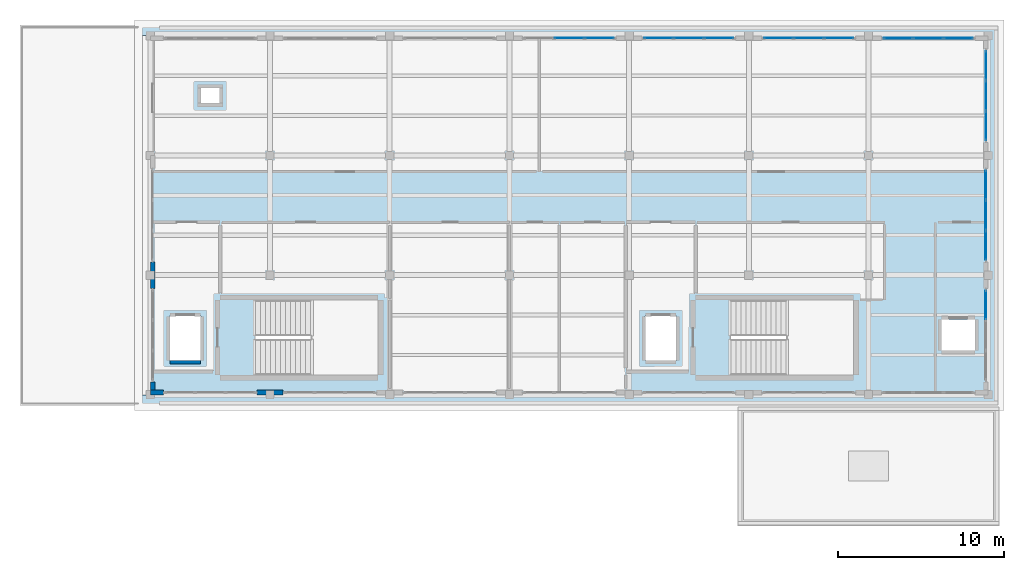
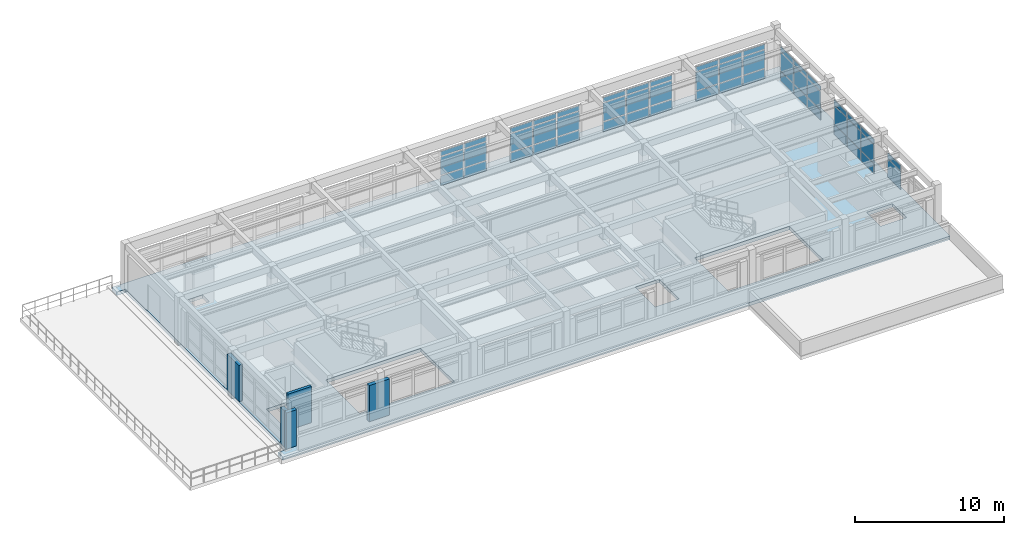
# One storey, part 10 of 15: 53 plates, 5 walls, 1 slab, 7 elements without a shape of their own.
"""IFC4 building model written with IfcOpenShell, lengths in metres."""

from ifc_helpers import new_model, si_unit, direction, frame, frame_2d, origin, origin_2d, place, context, subcontext, project, spatial, polyline, rectangle, outline, extrude, material, layer, layer_set, type_object, element, aggregate, save


model = new_model("IFC4")

# Units and contexts
model_context = context("Model", 3, precision=1e-05, world=origin(), true_north=direction((0.0, 1.0)))
body_context = subcontext(model_context, "Body", "Model", "MODEL_VIEW")
ifc_project = project(units=[si_unit("LENGTHUNIT", "METRE"), si_unit("AREAUNIT", "SQUARE_METRE"), si_unit("VOLUMEUNIT", "CUBIC_METRE"), si_unit("PLANEANGLEUNIT", "RADIAN"), si_unit("MASSUNIT", "GRAM", prefix="KILO")], contexts=[model_context])

# Site, building, storey
site_placement = place(None, origin())
site = spatial("IfcSite", under=ifc_project, at=site_placement, CompositionType="ELEMENT")
building_placement = place(site_placement, origin())
building = spatial("IfcBuilding", under=site, at=building_placement, Name="Solenvale Faculty of Natural Sciences", CompositionType="ELEMENT")
storey_placement = place(building_placement, frame((0.0, 0.0, 48.0)))
storey = spatial("IfcBuildingStorey", under=building, at=storey_placement, Name="L11", CompositionType="ELEMENT", Elevation=48.0)

# Curtain wall, plates
ifc_material_1 = material(Name="Anodised bronze aluminium", Category="aluminium")
ifc_layer_1 = layer(ifc_material_1, 0.179931640625)
ifc_layer_set_1 = layer_set([ifc_layer_1], Name="Anodised bronze aluminium")
curtain_wall_type = type_object("IfcCurtainWallType", Name="CW-TWR-MOD", PredefinedType="USERDEFINED", material=ifc_layer_set_1)
curtain_wall_1_placement = place(storey_placement, origin())
curtain_wall_1 = element("IfcCurtainWall", 1, at=curtain_wall_1_placement, inside=storey, type_object=curtain_wall_type, Name="L11 Curtain Wall CW-L11-P1-E1-B3", ObjectType="UNITISED CURTAIN WALL", PredefinedType="USERDEFINED")
ifc_material_2 = material(Name="North-light skylight glass", Category="glass")
ifc_layer_2 = layer(ifc_material_2, 0.028076171875)
ifc_layer_set_2 = layer_set([ifc_layer_2], Name="North-light skylight glass")
plate_type_1 = type_object("IfcPlateType", Name="CWP-PNL-28", PredefinedType="CURTAIN_PANEL", material=ifc_layer_set_2)
plate_1_placement = place(storey_placement, frame((151.0576171875, 109.785400390625, 0.074951171875), z_axis=(0.0, 0.0, 1.0), x_axis=(0.0, 1.0, 0.0)))
plate_1 = element("IfcPlate", 2, at=plate_1_placement, type_object=plate_type_1, Name="CW-04 panel 1.1", PredefinedType="CURTAIN_PANEL", context=body_context, shape_type="SweptSolid", body=[
    extrude(rectangle(XDim=1.720947265625, YDim=0.028076171875, at=origin_2d()), origin(), (0.0, 0.0, 1.0), 0.78759765625),
])
plate_2_placement = place(storey_placement, frame((151.0576171875, 109.785400390625, 0.9375), z_axis=(0.0, 0.0, 1.0), x_axis=(0.0, 1.0, 0.0)))
plate_2 = element("IfcPlate", 3, at=plate_2_placement, type_object=plate_type_1, Name="CW-04 panel 1.2", PredefinedType="CURTAIN_PANEL", context=body_context, shape_type="SweptSolid", body=[
    extrude(rectangle(XDim=1.720947265625, YDim=0.028076171875, at=origin_2d()), origin(), (0.0, 0.0, 1.0), 1.485107421875),
])
plate_3_placement = place(storey_placement, frame((151.0576171875, 109.785400390625, 2.49755859375), z_axis=(0.0, 0.0, 1.0), x_axis=(0.0, 1.0, 0.0)))
plate_3 = element("IfcPlate", 4, at=plate_3_placement, type_object=plate_type_1, Name="CW-04 panel 1.3", PredefinedType="CURTAIN_PANEL", context=body_context, shape_type="SweptSolid", body=[
    extrude(rectangle(XDim=1.720947265625, YDim=0.028076171875, at=origin_2d()), origin(), (0.0, 0.0, 1.0), 0.387451171875),
])
plate_4_placement = place(storey_placement, frame((151.0576171875, 111.60009765625, 0.074951171875), z_axis=(0.0, 0.0, 1.0), x_axis=(0.0, 1.0, 0.0)))
plate_4 = element("IfcPlate", 5, at=plate_4_placement, type_object=plate_type_1, Name="CW-04 panel 2.1", PredefinedType="CURTAIN_PANEL", context=body_context, shape_type="SweptSolid", body=[
    extrude(rectangle(XDim=1.75830078125, YDim=0.028076171875, at=origin_2d()), origin(), (0.0, 0.0, 1.0), 0.78759765625),
])
plate_5_placement = place(storey_placement, frame((151.0576171875, 111.60009765625, 0.9375), z_axis=(0.0, 0.0, 1.0), x_axis=(0.0, 1.0, 0.0)))
plate_5 = element("IfcPlate", 6, at=plate_5_placement, type_object=plate_type_1, Name="CW-04 panel 2.2", PredefinedType="CURTAIN_PANEL", context=body_context, shape_type="SweptSolid", body=[
    extrude(rectangle(XDim=1.75830078125, YDim=0.028076171875, at=origin_2d()), origin(), (0.0, 0.0, 1.0), 1.485107421875),
])
plate_6_placement = place(storey_placement, frame((151.0576171875, 111.60009765625, 2.49755859375), z_axis=(0.0, 0.0, 1.0), x_axis=(0.0, 1.0, 0.0)))
plate_6 = element("IfcPlate", 7, at=plate_6_placement, type_object=plate_type_1, Name="CW-04 panel 2.3", PredefinedType="CURTAIN_PANEL", context=body_context, shape_type="SweptSolid", body=[
    extrude(rectangle(XDim=1.75830078125, YDim=0.028076171875, at=origin_2d()), origin(), (0.0, 0.0, 1.0), 0.387451171875),
])
plate_7_placement = place(storey_placement, frame((151.0576171875, 113.41455078125, 0.074951171875), z_axis=(0.0, 0.0, 1.0), x_axis=(0.0, 1.0, 0.0)))
plate_7 = element("IfcPlate", 8, at=plate_7_placement, type_object=plate_type_1, Name="CW-04 panel 3.1", PredefinedType="CURTAIN_PANEL", context=body_context, shape_type="SweptSolid", body=[
    extrude(rectangle(XDim=1.720947265625, YDim=0.028076171875, at=origin_2d()), origin(), (0.0, 0.0, 1.0), 0.78759765625),
])
plate_8_placement = place(storey_placement, frame((151.0576171875, 113.41455078125, 0.9375), z_axis=(0.0, 0.0, 1.0), x_axis=(0.0, 1.0, 0.0)))
plate_8 = element("IfcPlate", 9, at=plate_8_placement, type_object=plate_type_1, Name="CW-04 panel 3.2", PredefinedType="CURTAIN_PANEL", context=body_context, shape_type="SweptSolid", body=[
    extrude(rectangle(XDim=1.720947265625, YDim=0.028076171875, at=origin_2d()), origin(), (0.0, 0.0, 1.0), 1.485107421875),
])
plate_9_placement = place(storey_placement, frame((151.0576171875, 113.41455078125, 2.49755859375), z_axis=(0.0, 0.0, 1.0), x_axis=(0.0, 1.0, 0.0)))
plate_9 = element("IfcPlate", 10, at=plate_9_placement, type_object=plate_type_1, Name="CW-04 panel 3.3", PredefinedType="CURTAIN_PANEL", context=body_context, shape_type="SweptSolid", body=[
    extrude(rectangle(XDim=1.720947265625, YDim=0.028076171875, at=origin_2d()), origin(), (0.0, 0.0, 1.0), 0.387451171875),
])
aggregate(curtain_wall_1, [plate_1, plate_2, plate_3, plate_4, plate_5, plate_6, plate_7, plate_8, plate_9])

curtain_wall_2_placement = place(storey_placement, origin())
curtain_wall_2 = element("IfcCurtainWall", 11, at=curtain_wall_2_placement, inside=storey, type_object=curtain_wall_type, Name="L11 Curtain Wall CW-L11-P1-E2-B2", ObjectType="UNITISED CURTAIN WALL", PredefinedType="USERDEFINED")
plate_10_placement = place(storey_placement, frame((142.214599609375, 115.0576171875, 0.074951171875), z_axis=(0.0, 0.0, 1.0), x_axis=(-1.0, 0.0, 0.0)))
plate_10 = element("IfcPlate", 12, at=plate_10_placement, type_object=plate_type_1, Name="CW-04 panel 1.1", PredefinedType="CURTAIN_PANEL", context=body_context, shape_type="SweptSolid", body=[
    extrude(rectangle(XDim=1.720947265625, YDim=0.028076171875, at=origin_2d()), origin(), (0.0, 0.0, 1.0), 0.78759765625),
])
plate_11_placement = place(storey_placement, frame((142.214599609375, 115.0576171875, 0.9375), z_axis=(0.0, 0.0, 1.0), x_axis=(-1.0, 0.0, 0.0)))
plate_11 = element("IfcPlate", 13, at=plate_11_placement, type_object=plate_type_1, Name="CW-04 panel 1.2", PredefinedType="CURTAIN_PANEL", context=body_context, shape_type="SweptSolid", body=[
    extrude(rectangle(XDim=1.720947265625, YDim=0.028076171875, at=origin_2d()), origin(), (0.0, 0.0, 1.0), 1.485107421875),
])
plate_12_placement = place(storey_placement, frame((142.214599609375, 115.0576171875, 2.49755859375), z_axis=(0.0, 0.0, 1.0), x_axis=(-1.0, 0.0, 0.0)))
plate_12 = element("IfcPlate", 14, at=plate_12_placement, type_object=plate_type_1, Name="CW-04 panel 1.3", PredefinedType="CURTAIN_PANEL", context=body_context, shape_type="SweptSolid", body=[
    extrude(rectangle(XDim=1.720947265625, YDim=0.028076171875, at=origin_2d()), origin(), (0.0, 0.0, 1.0), 0.387451171875),
])
plate_13_placement = place(storey_placement, frame((140.39990234375, 115.0576171875, 0.074951171875), z_axis=(0.0, 0.0, 1.0), x_axis=(-1.0, 0.0, 0.0)))
plate_13 = element("IfcPlate", 15, at=plate_13_placement, type_object=plate_type_1, Name="CW-04 panel 2.1", PredefinedType="CURTAIN_PANEL", context=body_context, shape_type="SweptSolid", body=[
    extrude(rectangle(XDim=1.75830078125, YDim=0.028076171875, at=origin_2d()), origin(), (0.0, 0.0, 1.0), 0.78759765625),
])
plate_14_placement = place(storey_placement, frame((140.39990234375, 115.0576171875, 0.9375), z_axis=(0.0, 0.0, 1.0), x_axis=(-1.0, 0.0, 0.0)))
plate_14 = element("IfcPlate", 16, at=plate_14_placement, type_object=plate_type_1, Name="CW-04 panel 2.2", PredefinedType="CURTAIN_PANEL", context=body_context, shape_type="SweptSolid", body=[
    extrude(rectangle(XDim=1.75830078125, YDim=0.028076171875, at=origin_2d()), origin(), (0.0, 0.0, 1.0), 1.485107421875),
])
plate_15_placement = place(storey_placement, frame((140.39990234375, 115.0576171875, 2.49755859375), z_axis=(0.0, 0.0, 1.0), x_axis=(-1.0, 0.0, 0.0)))
plate_15 = element("IfcPlate", 17, at=plate_15_placement, type_object=plate_type_1, Name="CW-04 panel 2.3", PredefinedType="CURTAIN_PANEL", context=body_context, shape_type="SweptSolid", body=[
    extrude(rectangle(XDim=1.75830078125, YDim=0.028076171875, at=origin_2d()), origin(), (0.0, 0.0, 1.0), 0.387451171875),
])
plate_16_placement = place(storey_placement, frame((138.58544921875, 115.0576171875, 0.074951171875), z_axis=(0.0, 0.0, 1.0), x_axis=(-1.0, 0.0, 0.0)))
plate_16 = element("IfcPlate", 18, at=plate_16_placement, type_object=plate_type_1, Name="CW-04 panel 3.1", PredefinedType="CURTAIN_PANEL", context=body_context, shape_type="SweptSolid", body=[
    extrude(rectangle(XDim=1.720947265625, YDim=0.028076171875, at=origin_2d()), origin(), (0.0, 0.0, 1.0), 0.78759765625),
])
plate_17_placement = place(storey_placement, frame((138.58544921875, 115.0576171875, 0.9375), z_axis=(0.0, 0.0, 1.0), x_axis=(-1.0, 0.0, 0.0)))
plate_17 = element("IfcPlate", 19, at=plate_17_placement, type_object=plate_type_1, Name="CW-04 panel 3.2", PredefinedType="CURTAIN_PANEL", context=body_context, shape_type="SweptSolid", body=[
    extrude(rectangle(XDim=1.720947265625, YDim=0.028076171875, at=origin_2d()), origin(), (0.0, 0.0, 1.0), 1.485107421875),
])
plate_18_placement = place(storey_placement, frame((138.58544921875, 115.0576171875, 2.49755859375), z_axis=(0.0, 0.0, 1.0), x_axis=(-1.0, 0.0, 0.0)))
plate_18 = element("IfcPlate", 20, at=plate_18_placement, type_object=plate_type_1, Name="CW-04 panel 3.3", PredefinedType="CURTAIN_PANEL", context=body_context, shape_type="SweptSolid", body=[
    extrude(rectangle(XDim=1.720947265625, YDim=0.028076171875, at=origin_2d()), origin(), (0.0, 0.0, 1.0), 0.387451171875),
])
aggregate(curtain_wall_2, [plate_10, plate_11, plate_12, plate_13, plate_14, plate_15, plate_16, plate_17, plate_18])

curtain_wall_3_placement = place(storey_placement, origin())
curtain_wall_3 = element("IfcCurtainWall", 21, at=curtain_wall_3_placement, inside=storey, type_object=curtain_wall_type, Name="L11 Curtain Wall CW-L11-P1-E2-B3", ObjectType="UNITISED CURTAIN WALL", PredefinedType="USERDEFINED")
ifc_material_3 = material(Name="Triple low-E insulated glass", Category="glass")
ifc_layer_3 = layer(ifc_material_3, 0.031982421875)
ifc_layer_set_3 = layer_set([ifc_layer_3], Name="Triple low-E insulated glass")
plate_type_2 = type_object("IfcPlateType", Name="CWP-PNL-32", PredefinedType="CURTAIN_PANEL", material=ifc_layer_set_3)
plate_19_placement = place(storey_placement, frame((135.0146484375, 115.0576171875, 0.074951171875), z_axis=(0.0, 0.0, 1.0), x_axis=(-1.0, 0.0, 0.0)))
plate_19 = element("IfcPlate", 22, at=plate_19_placement, type_object=plate_type_2, Name="CW-04 panel 1.1", PredefinedType="CURTAIN_PANEL", context=body_context, shape_type="SweptSolid", body=[
    extrude(rectangle(XDim=1.720947265625, YDim=0.031982421875, at=origin_2d()), origin(), (0.0, 0.0, 1.0), 0.78759765625),
])
plate_20_placement = place(storey_placement, frame((135.0146484375, 115.0576171875, 0.9375), z_axis=(0.0, 0.0, 1.0), x_axis=(-1.0, 0.0, 0.0)))
plate_20 = element("IfcPlate", 23, at=plate_20_placement, type_object=plate_type_2, Name="CW-04 panel 1.2", PredefinedType="CURTAIN_PANEL", context=body_context, shape_type="SweptSolid", body=[
    extrude(rectangle(XDim=1.720947265625, YDim=0.031982421875, at=origin_2d()), origin(), (0.0, 0.0, 1.0), 1.485107421875),
])
plate_21_placement = place(storey_placement, frame((135.0146484375, 115.0576171875, 2.49755859375), z_axis=(0.0, 0.0, 1.0), x_axis=(-1.0, 0.0, 0.0)))
plate_21 = element("IfcPlate", 24, at=plate_21_placement, type_object=plate_type_2, Name="CW-04 panel 1.3", PredefinedType="CURTAIN_PANEL", context=body_context, shape_type="SweptSolid", body=[
    extrude(rectangle(XDim=1.720947265625, YDim=0.031982421875, at=origin_2d()), origin(), (0.0, 0.0, 1.0), 0.387451171875),
])
plate_22_placement = place(storey_placement, frame((133.199951171875, 115.0576171875, 0.074951171875), z_axis=(0.0, 0.0, 1.0), x_axis=(-1.0, 0.0, 0.0)))
plate_22 = element("IfcPlate", 25, at=plate_22_placement, type_object=plate_type_2, Name="CW-04 panel 2.1", PredefinedType="CURTAIN_PANEL", context=body_context, shape_type="SweptSolid", body=[
    extrude(rectangle(XDim=1.75830078125, YDim=0.031982421875, at=origin_2d()), origin(), (0.0, 0.0, 1.0), 0.78759765625),
])
plate_23_placement = place(storey_placement, frame((133.199951171875, 115.0576171875, 0.9375), z_axis=(0.0, 0.0, 1.0), x_axis=(-1.0, 0.0, 0.0)))
plate_23 = element("IfcPlate", 26, at=plate_23_placement, type_object=plate_type_2, Name="CW-04 panel 2.2", PredefinedType="CURTAIN_PANEL", context=body_context, shape_type="SweptSolid", body=[
    extrude(rectangle(XDim=1.75830078125, YDim=0.031982421875, at=origin_2d()), origin(), (0.0, 0.0, 1.0), 1.485107421875),
])
plate_24_placement = place(storey_placement, frame((133.199951171875, 115.0576171875, 2.49755859375), z_axis=(0.0, 0.0, 1.0), x_axis=(-1.0, 0.0, 0.0)))
plate_24 = element("IfcPlate", 27, at=plate_24_placement, type_object=plate_type_2, Name="CW-04 panel 2.3", PredefinedType="CURTAIN_PANEL", context=body_context, shape_type="SweptSolid", body=[
    extrude(rectangle(XDim=1.75830078125, YDim=0.031982421875, at=origin_2d()), origin(), (0.0, 0.0, 1.0), 0.387451171875),
])
plate_25_placement = place(storey_placement, frame((131.385498046875, 115.0576171875, 0.074951171875), z_axis=(0.0, 0.0, 1.0), x_axis=(-1.0, 0.0, 0.0)))
plate_25 = element("IfcPlate", 28, at=plate_25_placement, type_object=plate_type_2, Name="CW-04 panel 3.1", PredefinedType="CURTAIN_PANEL", context=body_context, shape_type="SweptSolid", body=[
    extrude(rectangle(XDim=1.720947265625, YDim=0.031982421875, at=origin_2d()), origin(), (0.0, 0.0, 1.0), 0.78759765625),
])
plate_26_placement = place(storey_placement, frame((131.385498046875, 115.0576171875, 0.9375), z_axis=(0.0, 0.0, 1.0), x_axis=(-1.0, 0.0, 0.0)))
plate_26 = element("IfcPlate", 29, at=plate_26_placement, type_object=plate_type_2, Name="CW-04 panel 3.2", PredefinedType="CURTAIN_PANEL", context=body_context, shape_type="SweptSolid", body=[
    extrude(rectangle(XDim=1.720947265625, YDim=0.031982421875, at=origin_2d()), origin(), (0.0, 0.0, 1.0), 1.485107421875),
])
plate_27_placement = place(storey_placement, frame((131.385498046875, 115.0576171875, 2.49755859375), z_axis=(0.0, 0.0, 1.0), x_axis=(-1.0, 0.0, 0.0)))
plate_27 = element("IfcPlate", 30, at=plate_27_placement, type_object=plate_type_2, Name="CW-04 panel 3.3", PredefinedType="CURTAIN_PANEL", context=body_context, shape_type="SweptSolid", body=[
    extrude(rectangle(XDim=1.720947265625, YDim=0.031982421875, at=origin_2d()), origin(), (0.0, 0.0, 1.0), 0.387451171875),
])
aggregate(curtain_wall_3, [plate_19, plate_20, plate_21, plate_22, plate_23, plate_24, plate_25, plate_26, plate_27])

curtain_wall_4_placement = place(storey_placement, origin())
curtain_wall_4 = element("IfcCurtainWall", 31, at=curtain_wall_4_placement, inside=storey, type_object=curtain_wall_type, Name="L11 Curtain Wall CW-L11-P1-E2-B4", ObjectType="UNITISED CURTAIN WALL", PredefinedType="USERDEFINED")
ifc_layer_4 = layer(ifc_material_3, 0.035888671875)
ifc_layer_set_4 = layer_set([ifc_layer_4], Name="Triple low-E insulated glass")
plate_type_3 = type_object("IfcPlateType", Name="CWP-PNL-36", PredefinedType="CURTAIN_PANEL", material=ifc_layer_set_4)
plate_28_placement = place(storey_placement, frame((127.814697265625, 115.0576171875, 0.074951171875), z_axis=(0.0, 0.0, 1.0), x_axis=(-1.0, 0.0, 0.0)))
plate_28 = element("IfcPlate", 32, at=plate_28_placement, type_object=plate_type_3, Name="CW-04 panel 1.1", PredefinedType="CURTAIN_PANEL", context=body_context, shape_type="SweptSolid", body=[
    extrude(rectangle(XDim=1.720947265625, YDim=0.035888671875, at=origin_2d()), origin(), (0.0, 0.0, 1.0), 0.78759765625),
])
plate_29_placement = place(storey_placement, frame((127.814697265625, 115.0576171875, 0.9375), z_axis=(0.0, 0.0, 1.0), x_axis=(-1.0, 0.0, 0.0)))
plate_29 = element("IfcPlate", 33, at=plate_29_placement, type_object=plate_type_3, Name="CW-04 panel 1.2", PredefinedType="CURTAIN_PANEL", context=body_context, shape_type="SweptSolid", body=[
    extrude(rectangle(XDim=1.720947265625, YDim=0.035888671875, at=origin_2d()), origin(), (0.0, 0.0, 1.0), 1.485107421875),
])
plate_30_placement = place(storey_placement, frame((127.814697265625, 115.0576171875, 2.49755859375), z_axis=(0.0, 0.0, 1.0), x_axis=(-1.0, 0.0, 0.0)))
plate_30 = element("IfcPlate", 34, at=plate_30_placement, type_object=plate_type_3, Name="CW-04 panel 1.3", PredefinedType="CURTAIN_PANEL", context=body_context, shape_type="SweptSolid", body=[
    extrude(rectangle(XDim=1.720947265625, YDim=0.035888671875, at=origin_2d()), origin(), (0.0, 0.0, 1.0), 0.387451171875),
])
plate_31_placement = place(storey_placement, frame((126.0, 115.0576171875, 0.074951171875), z_axis=(0.0, 0.0, 1.0), x_axis=(-1.0, 0.0, 0.0)))
plate_31 = element("IfcPlate", 35, at=plate_31_placement, type_object=plate_type_3, Name="CW-04 panel 2.1", PredefinedType="CURTAIN_PANEL", context=body_context, shape_type="SweptSolid", body=[
    extrude(rectangle(XDim=1.75830078125, YDim=0.035888671875, at=origin_2d()), origin(), (0.0, 0.0, 1.0), 0.78759765625),
])
plate_32_placement = place(storey_placement, frame((126.0, 115.0576171875, 0.9375), z_axis=(0.0, 0.0, 1.0), x_axis=(-1.0, 0.0, 0.0)))
plate_32 = element("IfcPlate", 36, at=plate_32_placement, type_object=plate_type_3, Name="CW-04 panel 2.2", PredefinedType="CURTAIN_PANEL", context=body_context, shape_type="SweptSolid", body=[
    extrude(rectangle(XDim=1.75830078125, YDim=0.035888671875, at=origin_2d()), origin(), (0.0, 0.0, 1.0), 1.485107421875),
])
plate_33_placement = place(storey_placement, frame((126.0, 115.0576171875, 2.49755859375), z_axis=(0.0, 0.0, 1.0), x_axis=(-1.0, 0.0, 0.0)))
plate_33 = element("IfcPlate", 37, at=plate_33_placement, type_object=plate_type_3, Name="CW-04 panel 2.3", PredefinedType="CURTAIN_PANEL", context=body_context, shape_type="SweptSolid", body=[
    extrude(rectangle(XDim=1.75830078125, YDim=0.035888671875, at=origin_2d()), origin(), (0.0, 0.0, 1.0), 0.387451171875),
])
aggregate(curtain_wall_4, [plate_28, plate_29, plate_30, plate_31, plate_32, plate_33])

curtain_wall_5_placement = place(storey_placement, origin())
curtain_wall_5 = element("IfcCurtainWall", 38, at=curtain_wall_5_placement, inside=storey, type_object=curtain_wall_type, Name="L11 Curtain Wall CW-L11-P1-E1-B1", ObjectType="UNITISED CURTAIN WALL", PredefinedType="USERDEFINED")
ifc_layer_5 = layer(ifc_material_1, 0.053955078125)
ifc_layer_set_5 = layer_set([ifc_layer_5], Name="Anodised bronze aluminium")
plate_type_4 = type_object("IfcPlateType", Name="CWP-PNL-54", PredefinedType="CURTAIN_PANEL", material=ifc_layer_set_5)
plate_34_placement = place(storey_placement, frame((151.0576171875, 99.0146484375, 0.9375), z_axis=(0.0, 0.0, 1.0), x_axis=(0.0, 1.0, 0.0)))
plate_34 = element("IfcPlate", 39, at=plate_34_placement, type_object=plate_type_4, Name="CW-04 panel 3.2", PredefinedType="CURTAIN_PANEL", context=body_context, shape_type="SweptSolid", body=[
    extrude(rectangle(XDim=1.720947265625, YDim=0.053955078125, at=origin_2d()), origin(), (0.0, 0.0, 1.0), 1.485107421875),
])
plate_35_placement = place(storey_placement, frame((151.0576171875, 99.0146484375, 2.49755859375), z_axis=(0.0, 0.0, 1.0), x_axis=(0.0, 1.0, 0.0)))
plate_35 = element("IfcPlate", 40, at=plate_35_placement, type_object=plate_type_4, Name="CW-04 panel 3.3", PredefinedType="CURTAIN_PANEL", context=body_context, shape_type="SweptSolid", body=[
    extrude(rectangle(XDim=1.720947265625, YDim=0.053955078125, at=origin_2d()), origin(), (0.0, 0.0, 1.0), 0.387451171875),
])
aggregate(curtain_wall_5, [plate_34, plate_35])

curtain_wall_6_placement = place(storey_placement, origin())
curtain_wall_6 = element("IfcCurtainWall", 41, at=curtain_wall_6_placement, inside=storey, type_object=curtain_wall_type, Name="L11 Curtain Wall CW-L11-P1-E1-B2", ObjectType="UNITISED CURTAIN WALL", PredefinedType="USERDEFINED")
ifc_layer_6 = layer(ifc_material_1, 0.06005859375)
ifc_layer_set_6 = layer_set([ifc_layer_6], Name="Anodised bronze aluminium")
plate_type_5 = type_object("IfcPlateType", Name="CWP-PNL-60", PredefinedType="CURTAIN_PANEL", material=ifc_layer_set_6)
plate_36_placement = place(storey_placement, frame((151.0576171875, 102.58544921875, 0.074951171875), z_axis=(0.0, 0.0, 1.0), x_axis=(0.0, 1.0, 0.0)))
plate_36 = element("IfcPlate", 42, at=plate_36_placement, type_object=plate_type_5, Name="CW-04 panel 1.1", PredefinedType="CURTAIN_PANEL", context=body_context, shape_type="SweptSolid", body=[
    extrude(rectangle(XDim=1.720947265625, YDim=0.06005859375, at=origin_2d()), origin(), (0.0, 0.0, 1.0), 0.78759765625),
])
plate_37_placement = place(storey_placement, frame((151.0576171875, 102.58544921875, 0.9375), z_axis=(0.0, 0.0, 1.0), x_axis=(0.0, 1.0, 0.0)))
plate_37 = element("IfcPlate", 43, at=plate_37_placement, type_object=plate_type_5, Name="CW-04 panel 1.2", PredefinedType="CURTAIN_PANEL", context=body_context, shape_type="SweptSolid", body=[
    extrude(rectangle(XDim=1.720947265625, YDim=0.06005859375, at=origin_2d()), origin(), (0.0, 0.0, 1.0), 1.485107421875),
])
plate_38_placement = place(storey_placement, frame((151.0576171875, 102.58544921875, 2.49755859375), z_axis=(0.0, 0.0, 1.0), x_axis=(0.0, 1.0, 0.0)))
plate_38 = element("IfcPlate", 44, at=plate_38_placement, type_object=plate_type_5, Name="CW-04 panel 1.3", PredefinedType="CURTAIN_PANEL", context=body_context, shape_type="SweptSolid", body=[
    extrude(rectangle(XDim=1.720947265625, YDim=0.06005859375, at=origin_2d()), origin(), (0.0, 0.0, 1.0), 0.387451171875),
])
plate_39_placement = place(storey_placement, frame((151.0576171875, 104.39990234375, 0.074951171875), z_axis=(0.0, 0.0, 1.0), x_axis=(0.0, 1.0, 0.0)))
plate_39 = element("IfcPlate", 45, at=plate_39_placement, type_object=plate_type_5, Name="CW-04 panel 2.1", PredefinedType="CURTAIN_PANEL", context=body_context, shape_type="SweptSolid", body=[
    extrude(rectangle(XDim=1.75830078125, YDim=0.06005859375, at=origin_2d()), origin(), (0.0, 0.0, 1.0), 0.78759765625),
])
plate_40_placement = place(storey_placement, frame((151.0576171875, 104.39990234375, 0.9375), z_axis=(0.0, 0.0, 1.0), x_axis=(0.0, 1.0, 0.0)))
plate_40 = element("IfcPlate", 46, at=plate_40_placement, type_object=plate_type_5, Name="CW-04 panel 2.2", PredefinedType="CURTAIN_PANEL", context=body_context, shape_type="SweptSolid", body=[
    extrude(rectangle(XDim=1.75830078125, YDim=0.06005859375, at=origin_2d()), origin(), (0.0, 0.0, 1.0), 1.485107421875),
])
plate_41_placement = place(storey_placement, frame((151.0576171875, 104.39990234375, 2.49755859375), z_axis=(0.0, 0.0, 1.0), x_axis=(0.0, 1.0, 0.0)))
plate_41 = element("IfcPlate", 47, at=plate_41_placement, type_object=plate_type_5, Name="CW-04 panel 2.3", PredefinedType="CURTAIN_PANEL", context=body_context, shape_type="SweptSolid", body=[
    extrude(rectangle(XDim=1.75830078125, YDim=0.06005859375, at=origin_2d()), origin(), (0.0, 0.0, 1.0), 0.387451171875),
])
plate_42_placement = place(storey_placement, frame((151.0576171875, 106.214599609375, 0.074951171875), z_axis=(0.0, 0.0, 1.0), x_axis=(0.0, 1.0, 0.0)))
plate_42 = element("IfcPlate", 48, at=plate_42_placement, type_object=plate_type_5, Name="CW-04 panel 3.1", PredefinedType="CURTAIN_PANEL", context=body_context, shape_type="SweptSolid", body=[
    extrude(rectangle(XDim=1.720947265625, YDim=0.06005859375, at=origin_2d()), origin(), (0.0, 0.0, 1.0), 0.78759765625),
])
plate_43_placement = place(storey_placement, frame((151.0576171875, 106.214599609375, 0.9375), z_axis=(0.0, 0.0, 1.0), x_axis=(0.0, 1.0, 0.0)))
plate_43 = element("IfcPlate", 49, at=plate_43_placement, type_object=plate_type_5, Name="CW-04 panel 3.2", PredefinedType="CURTAIN_PANEL", context=body_context, shape_type="SweptSolid", body=[
    extrude(rectangle(XDim=1.720947265625, YDim=0.06005859375, at=origin_2d()), origin(), (0.0, 0.0, 1.0), 1.485107421875),
])
plate_44_placement = place(storey_placement, frame((151.0576171875, 106.214599609375, 2.49755859375), z_axis=(0.0, 0.0, 1.0), x_axis=(0.0, 1.0, 0.0)))
plate_44 = element("IfcPlate", 50, at=plate_44_placement, type_object=plate_type_5, Name="CW-04 panel 3.3", PredefinedType="CURTAIN_PANEL", context=body_context, shape_type="SweptSolid", body=[
    extrude(rectangle(XDim=1.720947265625, YDim=0.06005859375, at=origin_2d()), origin(), (0.0, 0.0, 1.0), 0.387451171875),
])
aggregate(curtain_wall_6, [plate_36, plate_37, plate_38, plate_39, plate_40, plate_41, plate_42, plate_43, plate_44])

curtain_wall_7_placement = place(storey_placement, origin())
curtain_wall_7 = element("IfcCurtainWall", 51, at=curtain_wall_7_placement, inside=storey, type_object=curtain_wall_type, Name="L11 Curtain Wall CW-L11-P1-E2-B1", ObjectType="UNITISED CURTAIN WALL", PredefinedType="USERDEFINED")
plate_45_placement = place(storey_placement, frame((149.41455078125, 115.0576171875, 0.074951171875), z_axis=(0.0, 0.0, 1.0), x_axis=(-1.0, 0.0, 0.0)))
plate_45 = element("IfcPlate", 52, at=plate_45_placement, type_object=plate_type_5, Name="CW-04 panel 1.1", PredefinedType="CURTAIN_PANEL", context=body_context, shape_type="SweptSolid", body=[
    extrude(rectangle(XDim=1.720947265625, YDim=0.06005859375, at=origin_2d()), origin(), (0.0, 0.0, 1.0), 0.78759765625),
])
plate_46_placement = place(storey_placement, frame((149.41455078125, 115.0576171875, 0.9375), z_axis=(0.0, 0.0, 1.0), x_axis=(-1.0, 0.0, 0.0)))
plate_46 = element("IfcPlate", 53, at=plate_46_placement, type_object=plate_type_5, Name="CW-04 panel 1.2", PredefinedType="CURTAIN_PANEL", context=body_context, shape_type="SweptSolid", body=[
    extrude(rectangle(XDim=1.720947265625, YDim=0.06005859375, at=origin_2d()), origin(), (0.0, 0.0, 1.0), 1.485107421875),
])
plate_47_placement = place(storey_placement, frame((149.41455078125, 115.0576171875, 2.49755859375), z_axis=(0.0, 0.0, 1.0), x_axis=(-1.0, 0.0, 0.0)))
plate_47 = element("IfcPlate", 54, at=plate_47_placement, type_object=plate_type_5, Name="CW-04 panel 1.3", PredefinedType="CURTAIN_PANEL", context=body_context, shape_type="SweptSolid", body=[
    extrude(rectangle(XDim=1.720947265625, YDim=0.06005859375, at=origin_2d()), origin(), (0.0, 0.0, 1.0), 0.387451171875),
])
plate_48_placement = place(storey_placement, frame((147.60009765625, 115.0576171875, 0.074951171875), z_axis=(0.0, 0.0, 1.0), x_axis=(-1.0, 0.0, 0.0)))
plate_48 = element("IfcPlate", 55, at=plate_48_placement, type_object=plate_type_5, Name="CW-04 panel 2.1", PredefinedType="CURTAIN_PANEL", context=body_context, shape_type="SweptSolid", body=[
    extrude(rectangle(XDim=1.75830078125, YDim=0.06005859375, at=origin_2d()), origin(), (0.0, 0.0, 1.0), 0.78759765625),
])
plate_49_placement = place(storey_placement, frame((147.60009765625, 115.0576171875, 0.9375), z_axis=(0.0, 0.0, 1.0), x_axis=(-1.0, 0.0, 0.0)))
plate_49 = element("IfcPlate", 56, at=plate_49_placement, type_object=plate_type_5, Name="CW-04 panel 2.2", PredefinedType="CURTAIN_PANEL", context=body_context, shape_type="SweptSolid", body=[
    extrude(rectangle(XDim=1.75830078125, YDim=0.06005859375, at=origin_2d()), origin(), (0.0, 0.0, 1.0), 1.485107421875),
])
plate_50_placement = place(storey_placement, frame((147.60009765625, 115.0576171875, 2.49755859375), z_axis=(0.0, 0.0, 1.0), x_axis=(-1.0, 0.0, 0.0)))
plate_50 = element("IfcPlate", 57, at=plate_50_placement, type_object=plate_type_5, Name="CW-04 panel 2.3", PredefinedType="CURTAIN_PANEL", context=body_context, shape_type="SweptSolid", body=[
    extrude(rectangle(XDim=1.75830078125, YDim=0.06005859375, at=origin_2d()), origin(), (0.0, 0.0, 1.0), 0.387451171875),
])
plate_51_placement = place(storey_placement, frame((145.785400390625, 115.0576171875, 0.074951171875), z_axis=(0.0, 0.0, 1.0), x_axis=(-1.0, 0.0, 0.0)))
plate_51 = element("IfcPlate", 58, at=plate_51_placement, type_object=plate_type_5, Name="CW-04 panel 3.1", PredefinedType="CURTAIN_PANEL", context=body_context, shape_type="SweptSolid", body=[
    extrude(rectangle(XDim=1.720947265625, YDim=0.06005859375, at=origin_2d()), origin(), (0.0, 0.0, 1.0), 0.78759765625),
])
plate_52_placement = place(storey_placement, frame((145.785400390625, 115.0576171875, 0.9375), z_axis=(0.0, 0.0, 1.0), x_axis=(-1.0, 0.0, 0.0)))
plate_52 = element("IfcPlate", 59, at=plate_52_placement, type_object=plate_type_5, Name="CW-04 panel 3.2", PredefinedType="CURTAIN_PANEL", context=body_context, shape_type="SweptSolid", body=[
    extrude(rectangle(XDim=1.720947265625, YDim=0.06005859375, at=origin_2d()), origin(), (0.0, 0.0, 1.0), 1.485107421875),
])
plate_53_placement = place(storey_placement, frame((145.785400390625, 115.0576171875, 2.49755859375), z_axis=(0.0, 0.0, 1.0), x_axis=(-1.0, 0.0, 0.0)))
plate_53 = element("IfcPlate", 60, at=plate_53_placement, type_object=plate_type_5, Name="CW-04 panel 3.3", PredefinedType="CURTAIN_PANEL", context=body_context, shape_type="SweptSolid", body=[
    extrude(rectangle(XDim=1.720947265625, YDim=0.06005859375, at=origin_2d()), origin(), (0.0, 0.0, 1.0), 0.387451171875),
])
aggregate(curtain_wall_7, [plate_45, plate_46, plate_47, plate_48, plate_49, plate_50, plate_51, plate_52, plate_53])

# Slab
ifc_material_4 = material(Name="Concrete 40 MPa", Category="concrete")
ifc_layer_7 = layer(ifc_material_4, 0.280029296875)
ifc_layer_set_7 = layer_set([ifc_layer_7], Name="Concrete 40 MPa")
slab_type = type_object("IfcSlabType", Name="SL-FLR-280", PredefinedType="FLOOR", material=ifc_layer_set_7)
slab_placement = place(storey_placement, frame((0.0, 0.0, -0.280029296875)))
element("IfcSlab", 61, at=slab_placement, inside=storey, type_object=slab_type, Name="L11 V5 Floor Slab 1.1", PredefinedType="FLOOR", context=body_context, shape_type="SweptSolid", body=[
    extrude(outline(polyline([(100.81884765625, 93.600341796875), (100.805908203125, 93.608154296875), (100.800048828125, 93.62451171875), (100.800048828125, 115.175537109375), (100.805908203125, 115.19189453125), (100.820068359375, 115.20068359375), (100.813720703125, 115.214599609375), (100.80029296875, 115.219970703125), (100.14501953125, 115.219970703125), (100.127197265625, 115.227294921875), (100.1201171875, 115.2451171875), (100.1201171875, 115.85498046875), (100.135498046875, 115.878173828125), (151.85498046875, 115.8798828125), (151.878173828125, 115.864501953125), (151.8798828125, 92.945068359375), (151.864501953125, 92.921875), (100.14501953125, 92.919921875), (100.127197265625, 92.92724609375), (100.1201171875, 92.945068359375), (100.1201171875, 93.554931640625), (100.127197265625, 93.57275390625), (100.14501953125, 93.580078125), (100.80029296875, 93.580078125), (100.814697265625, 93.586181640625), (100.81884765625, 93.600341796875)]), holes=[polyline([(148.385009765625, 96.260009765625), (150.4150390625, 96.260009765625), (150.4150390625, 98.139892578125), (148.385009765625, 98.139892578125), (148.385009765625, 96.260009765625)]), polyline([(135.739990234375, 94.800048828125), (143.10009765625, 94.800048828125), (143.10009765625, 99.300048828125), (135.739990234375, 99.300048828125), (135.739990234375, 94.800048828125)]), polyline([(130.56005859375, 95.66064453125), (132.43994140625, 95.659912109375), (132.43994140625, 98.340087890625), (130.56005859375, 98.340087890625), (130.56005859375, 95.66064453125)]), polyline([(107.139892578125, 94.800048828125), (114.5, 94.800048828125), (114.5, 99.300048828125), (107.139892578125, 99.300048828125), (107.139892578125, 94.800048828125)]), polyline([(103.85009765625, 111.14990234375), (104.949951171875, 111.14990234375), (104.949951171875, 112.050048828125), (103.85009765625, 112.050048828125), (103.85009765625, 111.14990234375)]), polyline([(101.9599609375, 95.66064453125), (103.840087890625, 95.659912109375), (103.840087890625, 98.340087890625), (101.9599609375, 98.340087890625), (101.9599609375, 95.66064453125)])]), origin(), (0.0, 0.0, 1.0), 0.280029296875),
])

# Walls
ifc_material_5 = material(Name="Precast concrete 40 MPa", Category="concrete")
ifc_layer_8 = layer(ifc_material_5, 0.284912109375)
ifc_layer_set_8 = layer_set([ifc_layer_8], Name="Precast concrete 40 MPa")
wall_type_1 = type_object("IfcWallType", Name="WL-EXT-PRC-285", PredefinedType="STANDARD", material=ifc_layer_set_8)
wall_1_placement = place(storey_placement, frame((100.9423828125, 101.587890625, 0.0), z_axis=(0.0, 0.0, 1.0), x_axis=(0.0, -1.0, 0.0)))
element("IfcWall", 62, at=wall_1_placement, inside=storey, type_object=wall_type_1, Name="L11 Facade Closure Pier 3.B2-R", PredefinedType="STANDARD", context=body_context, shape_type="SweptSolid", body=[
    extrude(rectangle(XDim=1.575927734375, YDim=0.284912109375, at=frame_2d((0.7880859375, 0.0))), origin(), (0.0, 0.0, 1.0), 2.9599609375),
])
wall_2_placement = place(storey_placement, frame((100.9423828125, 94.387939453125, 0.0), z_axis=(0.0, 0.0, 1.0), x_axis=(0.0, -1.0, 0.0)))
element("IfcWall", 63, at=wall_2_placement, inside=storey, type_object=wall_type_1, Name="L11 Facade Closure Pier 3.B3-R", PredefinedType="STANDARD", context=body_context, shape_type="SweptSolid", body=[
    extrude(rectangle(XDim=0.5029296875, YDim=0.284912109375, at=frame_2d((0.25146484375, 0.0))), origin(), (0.0, 0.0, 1.0), 2.9599609375),
])
wall_3_placement = place(storey_placement, frame((100.800048828125, 93.742431640625, 0.0), z_axis=(0.0, 0.0, 1.0), x_axis=(1.0, 0.0, 0.0)))
element("IfcWall", 64, at=wall_3_placement, inside=storey, type_object=wall_type_1, Name="L11 Facade Closure Pier 4.B1-L", PredefinedType="STANDARD", context=body_context, shape_type="SweptSolid", body=[
    extrude(rectangle(XDim=0.787841796875, YDim=0.284912109375, at=frame_2d((0.39404296875, 0.0))), origin(), (0.0, 0.0, 1.0), 2.9599609375),
])
wall_4_placement = place(storey_placement, frame((107.2119140625, 93.742431640625, 0.0), z_axis=(0.0, 0.0, 1.0), x_axis=(1.0, 0.0, 0.0)))
element("IfcWall", 65, at=wall_4_placement, inside=storey, type_object=wall_type_1, Name="L11 Facade Closure Pier 4.B1-R", PredefinedType="STANDARD", context=body_context, shape_type="SweptSolid", body=[
    extrude(rectangle(XDim=1.576171875, YDim=0.284912109375, at=frame_2d((0.7880859375, 0.0))), origin(), (0.0, 0.0, 1.0), 2.9599609375),
])
ifc_layer_9 = layer(ifc_material_4, 0.219970703125)
ifc_layer_set_9 = layer_set([ifc_layer_9], Name="Concrete 40 MPa")
wall_type_2 = type_object("IfcWallType", Name="WL-SHF-220", PredefinedType="STANDARD", material=ifc_layer_set_9)
wall_5_placement = place(storey_placement, frame((101.97998046875, 95.570068359375, 0.0), z_axis=(0.0, 0.0, 1.0), x_axis=(1.0, 0.0, 0.0)))
element("IfcWall", 66, at=wall_5_placement, inside=storey, type_object=wall_type_2, Name="Elevator LF-01 L11 Shaft Wall S", PredefinedType="STANDARD", context=body_context, shape_type="SweptSolid", body=[
    extrude(rectangle(XDim=1.840087890625, YDim=0.219970703125, at=frame_2d((0.919921875, 0.0))), origin(), (0.0, 0.0, 1.0), 2.9599609375),
])

save(model, "model.ifc")
